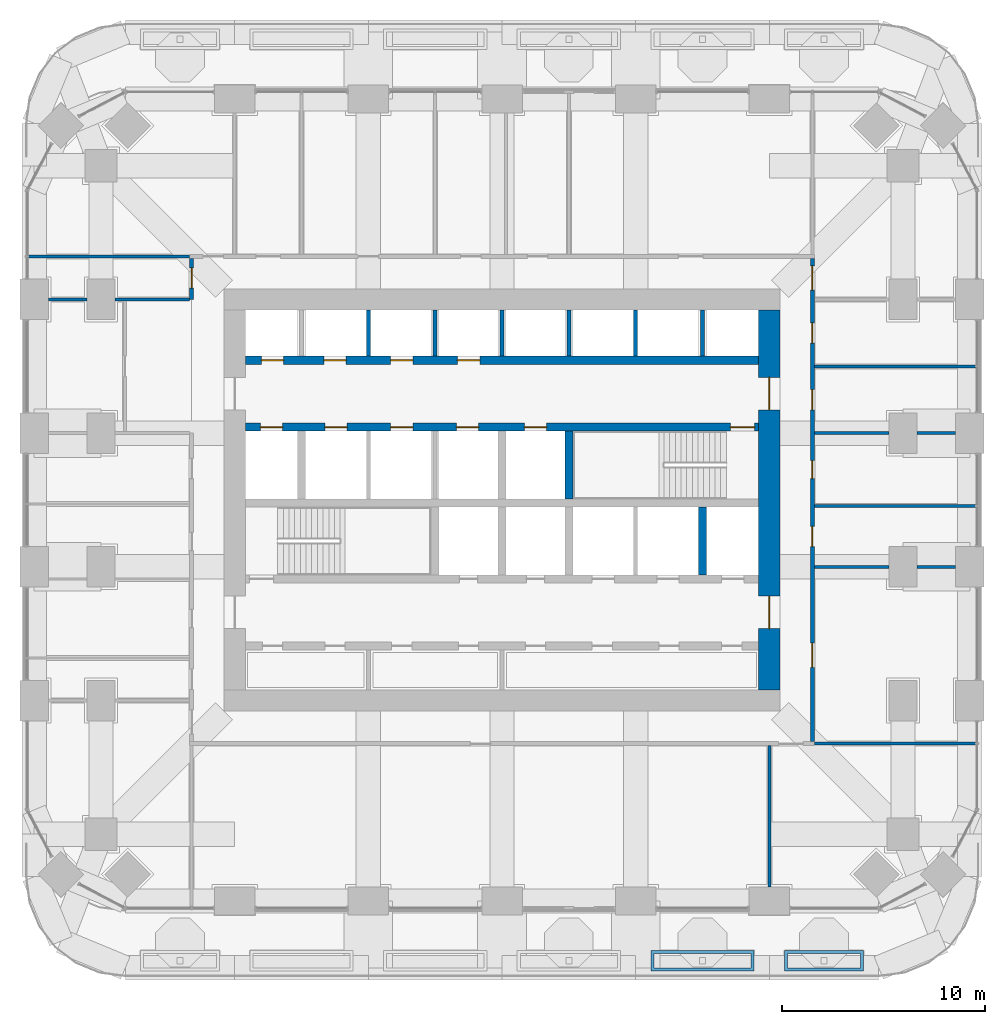
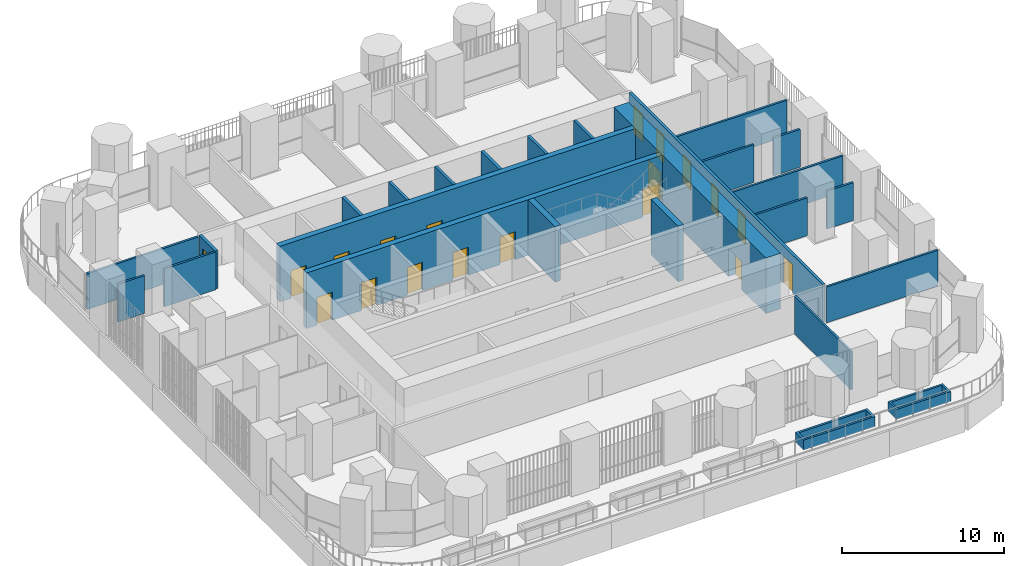
# One storey, part 15 of 22: 26 walls, 19 doors, 19 openings.
"""IFC4 building model written with IfcOpenShell, lengths in metres."""

from ifc_helpers import new_model, si_unit, direction, frame, frame_2d, origin, place, context, subcontext, project, spatial, polyline, rectangle, outline, extrude, material, layer, layer_set, type_object, element, fill, save


model = new_model("IFC4")

# Units and contexts
model_context = context("Model", 3, precision=1e-05, world=origin(), true_north=direction((0.0, 1.0)))
body_context = subcontext(model_context, "Body", "Model", "MODEL_VIEW")
ifc_project = project(units=[si_unit("LENGTHUNIT", "METRE"), si_unit("AREAUNIT", "SQUARE_METRE"), si_unit("VOLUMEUNIT", "CUBIC_METRE"), si_unit("PLANEANGLEUNIT", "RADIAN"), si_unit("MASSUNIT", "GRAM", prefix="KILO")], contexts=[model_context])

# Site, building, storey
site_placement = place(None, origin())
site = spatial("IfcSite", under=ifc_project, at=site_placement, CompositionType="ELEMENT")
building_placement = place(site_placement, origin())
building = spatial("IfcBuilding", under=site, at=building_placement, Name="Cobogo Forest Laboratory Tower", CompositionType="ELEMENT")
storey_placement = place(building_placement, frame((0.0, 0.0, 155.699951171875)))
storey = spatial("IfcBuildingStorey", under=building, at=storey_placement, Name="L35", CompositionType="ELEMENT", Elevation=155.699951171875)

# Wall, openings, doors
ifc_material_1 = material(Name="Concrete HA-50 (C50/60)", Category="concrete")
ifc_layer_1 = layer(ifc_material_1, 0.39990234375)
ifc_layer_set_1 = layer_set([ifc_layer_1], Name="CI400 core inner wall 400")
wall_type_1 = type_object("IfcWallType", Name="CI400 core inner wall 400", PredefinedType="SHEAR", material=ifc_layer_set_1)
wall_1_placement = place(storey_placement, frame((13.72509765625, 26.699951171875, 0.0), z_axis=(0.0, 0.0, 1.0), x_axis=(1.0, 0.0, 0.0)))
wall_1 = element("IfcWall", 1, at=wall_1_placement, inside=storey, type_object=wall_type_1, Name="Core wall CI-26.7 L35", PredefinedType="SHEAR", context=body_context, shape_type="SweptSolid", body=[
    extrude(rectangle(XDim=25.349853515625, YDim=0.39990234375, at=frame_2d((12.6748046875, 0.0))), origin(), (0.0, 0.0, 1.0), 4.199951171875),
])
opening_1_placement = place(wall_1_placement, frame((23.949951171875, 0.0, 0.0)))
opening_1 = element("IfcOpeningElement", 2, at=opening_1_placement, cuts=wall_1, Name="Opening L35-D25", PredefinedType="OPENING", context=body_context, shape_type="SweptSolid", body=[
    extrude(rectangle(XDim=1.199951171875, YDim=2.10009765625, at=frame_2d((0.60009765625, 1.050048828125))), frame((0.0, 0.2099609375, 0.0), z_axis=(0.0, -1.0, 0.0), x_axis=(1.0, 0.0, 0.0)), (0.0, 0.0, 1.0), 0.419921875),
])
opening_2_placement = place(wall_1_placement, frame((0.737548828125, 0.0, 0.0)))
opening_2 = element("IfcOpeningElement", 3, at=opening_2_placement, cuts=wall_1, Name="Opening L35-LD-FL1", PredefinedType="OPENING", context=body_context, shape_type="SweptSolid", body=[
    extrude(rectangle(XDim=1.10009765625, YDim=2.10009765625, at=frame_2d((0.550048828125, 1.050048828125))), frame((0.0, 0.2099609375, 0.0), z_axis=(0.0, -1.0, 0.0), x_axis=(1.0, 0.0, 0.0)), (0.0, 0.0, 1.0), 0.419921875),
])
opening_3_placement = place(wall_1_placement, frame((3.925048828125, 0.0, 0.0)))
opening_3 = element("IfcOpeningElement", 4, at=opening_3_placement, cuts=wall_1, Name="Opening L35-LD-LS3", PredefinedType="OPENING", context=body_context, shape_type="SweptSolid", body=[
    extrude(rectangle(XDim=1.10009765625, YDim=2.10009765625, at=frame_2d((0.550048828125, 1.050048828125))), frame((0.0, 0.2099609375, 0.0), z_axis=(0.0, -1.0, 0.0), x_axis=(1.0, 0.0, 0.0)), (0.0, 0.0, 1.0), 0.419921875),
])
opening_4_placement = place(wall_1_placement, frame((7.175048828125, 0.0, 0.0)))
opening_4 = element("IfcOpeningElement", 5, at=opening_4_placement, cuts=wall_1, Name="Opening L35-LD-LS4", PredefinedType="OPENING", context=body_context, shape_type="SweptSolid", body=[
    extrude(rectangle(XDim=1.10009765625, YDim=2.10009765625, at=frame_2d((0.550048828125, 1.050048828125))), frame((0.0, 0.2099609375, 0.0), z_axis=(0.0, -1.0, 0.0), x_axis=(1.0, 0.0, 0.0)), (0.0, 0.0, 1.0), 0.419921875),
])
opening_5_placement = place(wall_1_placement, frame((10.425048828125, 0.0, 0.0)))
opening_5 = element("IfcOpeningElement", 6, at=opening_5_placement, cuts=wall_1, Name="Opening L35-LD-LS5", PredefinedType="OPENING", context=body_context, shape_type="SweptSolid", body=[
    extrude(rectangle(XDim=1.10009765625, YDim=2.10009765625, at=frame_2d((0.550048828125, 1.050048828125))), frame((0.0, 0.2099609375, 0.0), z_axis=(0.0, -1.0, 0.0), x_axis=(1.0, 0.0, 0.0)), (0.0, 0.0, 1.0), 0.419921875),
])
opening_6_placement = place(wall_1_placement, frame((13.77490234375, 0.0, 0.0)))
opening_6 = element("IfcOpeningElement", 7, at=opening_6_placement, cuts=wall_1, Name="Opening L35-LD-LS6", PredefinedType="OPENING", context=body_context, shape_type="SweptSolid", body=[
    extrude(rectangle(XDim=1.10009765625, YDim=2.10009765625, at=frame_2d((0.550048828125, 1.050048828125))), frame((0.0, 0.2099609375, 0.0), z_axis=(0.0, -1.0, 0.0), x_axis=(1.0, 0.0, 0.0)), (0.0, 0.0, 1.0), 0.419921875),
])
ifc_material_2 = material(Name="Steel fire door", Category="steel")
door_type_1 = type_object("IfcDoorType", Name="DS1 protected stair door 1200 EI2 60", OperationType="SINGLE_SWING_LEFT", PredefinedType="DOOR", material=ifc_material_2)
door_1_placement = place(opening_1_placement, origin())
door_1 = element("IfcDoor", 8, at=door_1_placement, inside=storey, type_object=door_type_1, Name="Door L35-ST2", OperationType="SINGLE_SWING_RIGHT", OverallHeight=2.10009765625, OverallWidth=1.199951171875, PredefinedType="DOOR", context=body_context, shape_type="SweptSolid", body=[
    extrude(rectangle(XDim=1.199951171875, YDim=2.10009765625, at=frame_2d((0.60009765625, 1.050048828125))), frame((0.0, 0.02490234375, 0.0), z_axis=(0.0, -1.0, 0.0), x_axis=(1.0, 0.0, 0.0)), (0.0, 0.0, 1.0), 0.050048828125),
])
fill(opening_1, door_1)
ifc_material_3 = material(Name="Stainless steel lift door", Category="steel")
door_type_2 = type_object("IfcDoorType", Name="LD lift landing door 1100", OperationType="DOUBLE_DOOR_SLIDING", PredefinedType="DOOR", material=ifc_material_3)
door_2_placement = place(opening_2_placement, origin())
door_2 = element("IfcDoor", 9, at=door_2_placement, inside=storey, type_object=door_type_2, Name="Lift landing door FL1 L35", OperationType="DOUBLE_DOOR_SLIDING", OverallHeight=2.10009765625, OverallWidth=1.10009765625, PredefinedType="DOOR", context=body_context, shape_type="SweptSolid", body=[
    extrude(rectangle(XDim=1.10009765625, YDim=2.10009765625, at=frame_2d((0.550048828125, 1.050048828125))), frame((0.0, 0.02490234375, 0.0), z_axis=(0.0, -1.0, 0.0), x_axis=(1.0, 0.0, 0.0)), (0.0, 0.0, 1.0), 0.050048828125),
])
fill(opening_2, door_2)
door_3_placement = place(opening_3_placement, origin())
door_3 = element("IfcDoor", 10, at=door_3_placement, inside=storey, type_object=door_type_2, Name="Lift landing door LS3 L35", OperationType="DOUBLE_DOOR_SLIDING", OverallHeight=2.10009765625, OverallWidth=1.10009765625, PredefinedType="DOOR", context=body_context, shape_type="SweptSolid", body=[
    extrude(rectangle(XDim=1.10009765625, YDim=2.10009765625, at=frame_2d((0.550048828125, 1.050048828125))), frame((0.0, 0.02490234375, 0.0), z_axis=(0.0, -1.0, 0.0), x_axis=(1.0, 0.0, 0.0)), (0.0, 0.0, 1.0), 0.050048828125),
])
fill(opening_3, door_3)
door_4_placement = place(opening_4_placement, origin())
door_4 = element("IfcDoor", 11, at=door_4_placement, inside=storey, type_object=door_type_2, Name="Lift landing door LS4 L35", OperationType="DOUBLE_DOOR_SLIDING", OverallHeight=2.10009765625, OverallWidth=1.10009765625, PredefinedType="DOOR", context=body_context, shape_type="SweptSolid", body=[
    extrude(rectangle(XDim=1.10009765625, YDim=2.10009765625, at=frame_2d((0.550048828125, 1.050048828125))), frame((0.0, 0.02490234375, 0.0), z_axis=(0.0, -1.0, 0.0), x_axis=(1.0, 0.0, 0.0)), (0.0, 0.0, 1.0), 0.050048828125),
])
fill(opening_4, door_4)
door_5_placement = place(opening_5_placement, origin())
door_5 = element("IfcDoor", 12, at=door_5_placement, inside=storey, type_object=door_type_2, Name="Lift landing door LS5 L35", OperationType="DOUBLE_DOOR_SLIDING", OverallHeight=2.10009765625, OverallWidth=1.10009765625, PredefinedType="DOOR", context=body_context, shape_type="SweptSolid", body=[
    extrude(rectangle(XDim=1.10009765625, YDim=2.10009765625, at=frame_2d((0.550048828125, 1.050048828125))), frame((0.0, 0.02490234375, 0.0), z_axis=(0.0, -1.0, 0.0), x_axis=(1.0, 0.0, 0.0)), (0.0, 0.0, 1.0), 0.050048828125),
])
fill(opening_5, door_5)
door_6_placement = place(opening_6_placement, origin())
door_6 = element("IfcDoor", 13, at=door_6_placement, inside=storey, type_object=door_type_2, Name="Lift landing door LS6 L35", OperationType="DOUBLE_DOOR_SLIDING", OverallHeight=2.10009765625, OverallWidth=1.10009765625, PredefinedType="DOOR", context=body_context, shape_type="SweptSolid", body=[
    extrude(rectangle(XDim=1.10009765625, YDim=2.10009765625, at=frame_2d((0.550048828125, 1.050048828125))), frame((0.0, 0.02490234375, 0.0), z_axis=(0.0, -1.0, 0.0), x_axis=(1.0, 0.0, 0.0)), (0.0, 0.0, 1.0), 0.050048828125),
])
fill(opening_6, door_6)

wall_2_placement = place(storey_placement, frame((13.72509765625, 30.0, 0.0), z_axis=(0.0, 0.0, 1.0), x_axis=(1.0, 0.0, 0.0)))
wall_2 = element("IfcWall", 14, at=wall_2_placement, inside=storey, type_object=wall_type_1, Name="Core wall CI-30.0 L35", PredefinedType="SHEAR", context=body_context, shape_type="SweptSolid", body=[
    extrude(rectangle(XDim=25.349853515625, YDim=0.39990234375, at=frame_2d((12.6748046875, 0.0))), origin(), (0.0, 0.0, 1.0), 4.199951171875),
])
opening_7_placement = place(wall_2_placement, frame((0.78759765625, 0.0, 0.0)))
opening_7 = element("IfcOpeningElement", 15, at=opening_7_placement, cuts=wall_2, Name="Opening L35-LD-LC1", PredefinedType="OPENING", context=body_context, shape_type="SweptSolid", body=[
    extrude(rectangle(XDim=1.10009765625, YDim=2.10009765625, at=frame_2d((0.550048828125, 1.050048828125))), frame((0.0, 0.2099609375, 0.0), z_axis=(0.0, -1.0, 0.0), x_axis=(1.0, 0.0, 0.0)), (0.0, 0.0, 1.0), 0.419921875),
])
opening_8_placement = place(wall_2_placement, frame((3.875, 0.0, 0.0)))
opening_8 = element("IfcOpeningElement", 16, at=opening_8_placement, cuts=wall_2, Name="Opening L35-LD-LC2", PredefinedType="OPENING", context=body_context, shape_type="SweptSolid", body=[
    extrude(rectangle(XDim=1.10009765625, YDim=2.10009765625, at=frame_2d((0.550048828125, 1.050048828125))), frame((0.0, 0.2099609375, 0.0), z_axis=(0.0, -1.0, 0.0), x_axis=(1.0, 0.0, 0.0)), (0.0, 0.0, 1.0), 0.419921875),
])
opening_9_placement = place(wall_2_placement, frame((7.175048828125, 0.0, 0.0)))
opening_9 = element("IfcOpeningElement", 17, at=opening_9_placement, cuts=wall_2, Name="Opening L35-LD-LC3", PredefinedType="OPENING", context=body_context, shape_type="SweptSolid", body=[
    extrude(rectangle(XDim=1.10009765625, YDim=2.10009765625, at=frame_2d((0.550048828125, 1.050048828125))), frame((0.0, 0.2099609375, 0.0), z_axis=(0.0, -1.0, 0.0), x_axis=(1.0, 0.0, 0.0)), (0.0, 0.0, 1.0), 0.419921875),
])
opening_10_placement = place(wall_2_placement, frame((10.47509765625, 0.0, 0.0)))
opening_10 = element("IfcOpeningElement", 18, at=opening_10_placement, cuts=wall_2, Name="Opening L35-LD-LC4", PredefinedType="OPENING", context=body_context, shape_type="SweptSolid", body=[
    extrude(rectangle(XDim=1.10009765625, YDim=2.10009765625, at=frame_2d((0.550048828125, 1.050048828125))), frame((0.0, 0.2099609375, 0.0), z_axis=(0.0, -1.0, 0.0), x_axis=(1.0, 0.0, 0.0)), (0.0, 0.0, 1.0), 0.419921875),
])
door_7_placement = place(opening_7_placement, origin())
door_7 = element("IfcDoor", 19, at=door_7_placement, inside=storey, type_object=door_type_2, Name="Lift landing door LC1 L35", OperationType="DOUBLE_DOOR_SLIDING", OverallHeight=2.10009765625, OverallWidth=1.10009765625, PredefinedType="DOOR", context=body_context, shape_type="SweptSolid", body=[
    extrude(rectangle(XDim=1.10009765625, YDim=2.10009765625, at=frame_2d((0.550048828125, 1.050048828125))), frame((0.0, 0.02490234375, 0.0), z_axis=(0.0, -1.0, 0.0), x_axis=(1.0, 0.0, 0.0)), (0.0, 0.0, 1.0), 0.050048828125),
])
fill(opening_7, door_7)
door_8_placement = place(opening_8_placement, origin())
door_8 = element("IfcDoor", 20, at=door_8_placement, inside=storey, type_object=door_type_2, Name="Lift landing door LC2 L35", OperationType="DOUBLE_DOOR_SLIDING", OverallHeight=2.10009765625, OverallWidth=1.10009765625, PredefinedType="DOOR", context=body_context, shape_type="SweptSolid", body=[
    extrude(rectangle(XDim=1.10009765625, YDim=2.10009765625, at=frame_2d((0.550048828125, 1.050048828125))), frame((0.0, 0.02490234375, 0.0), z_axis=(0.0, -1.0, 0.0), x_axis=(1.0, 0.0, 0.0)), (0.0, 0.0, 1.0), 0.050048828125),
])
fill(opening_8, door_8)
door_9_placement = place(opening_9_placement, origin())
door_9 = element("IfcDoor", 21, at=door_9_placement, inside=storey, type_object=door_type_2, Name="Lift landing door LC3 L35", OperationType="DOUBLE_DOOR_SLIDING", OverallHeight=2.10009765625, OverallWidth=1.10009765625, PredefinedType="DOOR", context=body_context, shape_type="SweptSolid", body=[
    extrude(rectangle(XDim=1.10009765625, YDim=2.10009765625, at=frame_2d((0.550048828125, 1.050048828125))), frame((0.0, 0.02490234375, 0.0), z_axis=(0.0, -1.0, 0.0), x_axis=(1.0, 0.0, 0.0)), (0.0, 0.0, 1.0), 0.050048828125),
])
fill(opening_9, door_9)
door_10_placement = place(opening_10_placement, origin())
door_10 = element("IfcDoor", 22, at=door_10_placement, inside=storey, type_object=door_type_2, Name="Lift landing door LC4 L35", OperationType="DOUBLE_DOOR_SLIDING", OverallHeight=2.10009765625, OverallWidth=1.10009765625, PredefinedType="DOOR", context=body_context, shape_type="SweptSolid", body=[
    extrude(rectangle(XDim=1.10009765625, YDim=2.10009765625, at=frame_2d((0.550048828125, 1.050048828125))), frame((0.0, 0.02490234375, 0.0), z_axis=(0.0, -1.0, 0.0), x_axis=(1.0, 0.0, 0.0)), (0.0, 0.0, 1.0), 0.050048828125),
])
fill(opening_10, door_10)

# Walls
for number, where, z_axis, x_axis, name in (
    (23, (36.300048828125, 19.39990234375, 0.0), (0.0, 0.0, 1.0), (0.0, 1.0, 0.0), "Core wall CX-36.3 L35"),
    (24, (29.699951171875, 23.14990234375, 0.0), (0.0, 0.0, 1.0), (0.0, 1.0, 0.0), "Core wall CX-29.7N L35"),
):
    element("IfcWall", number, at=place(storey_placement, frame(where, z_axis=z_axis, x_axis=x_axis)), inside=storey, type_object=wall_type_1, Name=name, PredefinedType="SHEAR", context=body_context, shape_type="SweptSolid", body=[
        extrude(rectangle(XDim=3.35009765625, YDim=0.39990234375, at=frame_2d((1.675048828125, 0.0))), origin(), (0.0, 0.0, 1.0), 4.199951171875),
    ])

# Wall, openings, doors
ifc_layer_2 = layer(ifc_material_1, 1.050048828125)
ifc_layer_set_2 = layer_set([ifc_layer_2], Name="CW1050 core outer wall 1050")
wall_type_2 = type_object("IfcWallType", Name="CW1050 core outer wall 1050", PredefinedType="SHEAR", material=ifc_layer_set_2)
wall_3_placement = place(storey_placement, frame((39.60009765625, 13.72509765625, 0.0), z_axis=(0.0, 0.0, 1.0), x_axis=(0.0, 1.0, 0.0)))
wall_3 = element("IfcWall", 25, at=wall_3_placement, inside=storey, type_object=wall_type_2, Name="Core wall CO-E L35", PredefinedType="SHEAR", context=body_context, shape_type="SweptSolid", body=[
    extrude(rectangle(XDim=18.75, YDim=1.050048828125, at=frame_2d((9.375, 0.0))), origin(), (0.0, 0.0, 1.0), 4.199951171875),
])
opening_11_placement = place(wall_3_placement, frame((3.02490234375, 0.0, 0.0)))
opening_11 = element("IfcOpeningElement", 26, at=opening_11_placement, cuts=wall_3, Name="Opening L35-D17", PredefinedType="OPENING", context=body_context, shape_type="SweptSolid", body=[
    extrude(rectangle(XDim=1.60009765625, YDim=2.10009765625, at=frame_2d((0.800048828125, 1.050048828125))), frame((0.0, 0.534912109375, 0.0), z_axis=(0.0, -1.0, 0.0), x_axis=(1.0, 0.0, 0.0)), (0.0, 0.0, 1.0), 1.070068359375),
])
opening_12_placement = place(wall_3_placement, frame((13.824951171875, 0.0, 0.0)))
opening_12 = element("IfcOpeningElement", 27, at=opening_12_placement, cuts=wall_3, Name="Opening L35-D28", PredefinedType="OPENING", context=body_context, shape_type="SweptSolid", body=[
    extrude(rectangle(XDim=1.60009765625, YDim=2.10009765625, at=frame_2d((0.800048828125, 1.050048828125))), frame((0.0, 0.534912109375, 0.0), z_axis=(0.0, -1.0, 0.0), x_axis=(1.0, 0.0, 0.0)), (0.0, 0.0, 1.0), 1.070068359375),
])
door_type_3 = type_object("IfcDoorType", Name="DS2 protected lobby door pair 1600 EI2 60", OperationType="DOUBLE_DOOR_DOUBLE_SWING", PredefinedType="DOOR", material=ifc_material_2)
door_11_placement = place(opening_11_placement, origin())
door_11 = element("IfcDoor", 28, at=door_11_placement, inside=storey, type_object=door_type_3, Name="Door L35-CO-E-S", OperationType="DOUBLE_DOOR_DOUBLE_SWING", OverallHeight=2.10009765625, OverallWidth=1.60009765625, PredefinedType="DOOR", context=body_context, shape_type="SweptSolid", body=[
    extrude(rectangle(XDim=1.60009765625, YDim=2.10009765625, at=frame_2d((0.800048828125, 1.050048828125))), frame((0.0, 0.02490234375, 0.0), z_axis=(0.0, -1.0, 0.0), x_axis=(1.0, 0.0, 0.0)), (0.0, 0.0, 1.0), 0.050048828125),
])
fill(opening_11, door_11)
door_12_placement = place(opening_12_placement, origin())
door_12 = element("IfcDoor", 29, at=door_12_placement, inside=storey, type_object=door_type_3, Name="Door L35-CO-E-N", OperationType="DOUBLE_DOOR_DOUBLE_SWING", OverallHeight=2.10009765625, OverallWidth=1.60009765625, PredefinedType="DOOR", context=body_context, shape_type="SweptSolid", body=[
    extrude(rectangle(XDim=1.60009765625, YDim=2.10009765625, at=frame_2d((0.800048828125, 1.050048828125))), frame((0.0, 0.02490234375, 0.0), z_axis=(0.0, -1.0, 0.0), x_axis=(1.0, 0.0, 0.0)), (0.0, 0.0, 1.0), 0.050048828125),
])
fill(opening_12, door_12)

# Walls
ifc_material_4 = material(Name="Gypsum board on steel studs", Category="steel")
ifc_layer_3 = layer(ifc_material_4, 0.14990234375)
ifc_layer_set_3 = layer_set([ifc_layer_3], Name="PT1 laboratory partition 150")
wall_type_3 = type_object("IfcWallType", Name="PT1 laboratory partition 150", PredefinedType="PARTITIONING", material=ifc_layer_set_3)
for number, where, z_axis, x_axis, name in (
    (30, (49.77001953125, 11.074951171875, 0.0), (0.0, 0.0, 1.0), (-1.0, 0.0, 0.0), "Partition PW-SE L35"),
    (31, (3.030029296875, 35.125, 0.0), (0.0, 0.0, 1.0), (1.0, 0.0, 0.0), "Partition PW-NW L35"),
):
    element("IfcWall", number, at=place(storey_placement, frame(where, z_axis=z_axis, x_axis=x_axis)), inside=storey, type_object=wall_type_3, Name=name, PredefinedType="PARTITIONING", context=body_context, shape_type="SweptSolid", body=[
        extrude(rectangle(XDim=7.945068359375, YDim=0.14990234375, at=frame_2d((3.97265625, 0.0))), origin(), (0.0, 0.0, 1.0), 2.699951171875),
    ])
wall_4_placement = place(storey_placement, frame((39.60009765625, 4.0, 0.0), z_axis=(0.0, 0.0, 1.0), x_axis=(0.0, 1.0, 0.0)))
element("IfcWall", 32, at=wall_4_placement, inside=storey, type_object=wall_type_3, Name="Partition CUT-S39.6-1 L35", PredefinedType="PARTITIONING", context=body_context, shape_type="SweptSolid", body=[
    extrude(rectangle(XDim=6.97509765625, YDim=0.14990234375, at=frame_2d((3.487548828125, 0.0))), origin(), (0.0, 0.0, 1.0), 2.85009765625),
])
wall_5_placement = place(storey_placement, frame((49.77001953125, 22.800048828125, 0.0), z_axis=(0.0, 0.0, 1.0), x_axis=(-1.0, 0.0, 0.0)))
element("IfcWall", 33, at=wall_5_placement, inside=storey, type_object=wall_type_3, Name="Partition SVC-E1-1 L35", PredefinedType="PARTITIONING", context=body_context, shape_type="SweptSolid", body=[
    extrude(rectangle(XDim=7.945068359375, YDim=0.14990234375, at=frame_2d((3.97265625, 0.0))), origin(), (0.0, 0.0, 1.0), 2.699951171875),
])
wall_6_placement = place(storey_placement, frame((48.800048828125, 26.39990234375, 0.0), z_axis=(0.0, 0.0, 1.0), x_axis=(-1.0, 0.0, 0.0)))
element("IfcWall", 34, at=wall_6_placement, inside=storey, type_object=wall_type_3, Name="Partition SVC-E2-1 L35", PredefinedType="PARTITIONING", context=body_context, shape_type="SweptSolid", body=[
    extrude(rectangle(XDim=1.900146484375, YDim=0.14990234375, at=frame_2d((0.9501953125, 0.0))), origin(), (0.0, 0.0, 1.0), 2.85009765625),
])
wall_7_placement = place(storey_placement, frame((45.5, 26.39990234375, 0.0), z_axis=(0.0, 0.0, 1.0), x_axis=(-1.0, 0.0, 0.0)))
element("IfcWall", 35, at=wall_7_placement, inside=storey, type_object=wall_type_3, Name="Partition SVC-E2-2 L35", PredefinedType="PARTITIONING", context=body_context, shape_type="SweptSolid", body=[
    extrude(rectangle(XDim=3.675048828125, YDim=0.14990234375, at=frame_2d((1.83740234375, 0.0))), origin(), (0.0, 0.0, 1.0), 2.85009765625),
])
wall_8_placement = place(storey_placement, frame((48.800048828125, 19.800048828125, 0.0), z_axis=(0.0, 0.0, 1.0), x_axis=(-1.0, 0.0, 0.0)))
element("IfcWall", 36, at=wall_8_placement, inside=storey, type_object=wall_type_3, Name="Partition CUT-E19.8-1 L35", PredefinedType="PARTITIONING", context=body_context, shape_type="SweptSolid", body=[
    extrude(rectangle(XDim=1.900146484375, YDim=0.14990234375, at=frame_2d((0.9501953125, 0.0))), origin(), (0.0, 0.0, 1.0), 2.85009765625),
])
wall_9_placement = place(storey_placement, frame((45.5, 19.800048828125, 0.0), z_axis=(0.0, 0.0, 1.0), x_axis=(-1.0, 0.0, 0.0)))
element("IfcWall", 37, at=wall_9_placement, inside=storey, type_object=wall_type_3, Name="Partition CUT-E19.8-2 L35", PredefinedType="PARTITIONING", context=body_context, shape_type="SweptSolid", body=[
    extrude(rectangle(XDim=3.675048828125, YDim=0.14990234375, at=frame_2d((1.83740234375, 0.0))), origin(), (0.0, 0.0, 1.0), 2.85009765625),
])
wall_10_placement = place(storey_placement, frame((49.77001953125, 29.699951171875, 0.0), z_axis=(0.0, 0.0, 1.0), x_axis=(-1.0, 0.0, 0.0)))
element("IfcWall", 38, at=wall_10_placement, inside=storey, type_object=wall_type_3, Name="Partition CUT-E29.7-1 L35", PredefinedType="PARTITIONING", context=body_context, shape_type="SweptSolid", body=[
    extrude(rectangle(XDim=7.945068359375, YDim=0.14990234375, at=frame_2d((3.97265625, 0.0))), origin(), (0.0, 0.0, 1.0), 2.699951171875),
])
wall_11_placement = place(storey_placement, frame((4.0, 33.0, 0.0), z_axis=(0.0, 0.0, 1.0), x_axis=(1.0, 0.0, 0.0)))
element("IfcWall", 39, at=wall_11_placement, inside=storey, type_object=wall_type_3, Name="Partition CUT-W33-1 L35", PredefinedType="PARTITIONING", context=body_context, shape_type="SweptSolid", body=[
    extrude(rectangle(XDim=1.89990234375, YDim=0.14990234375, at=frame_2d((0.949951171875, 0.0))), origin(), (0.0, 0.0, 1.0), 2.85009765625),
])
wall_12_placement = place(storey_placement, frame((7.300048828125, 33.0, 0.0), z_axis=(0.0, 0.0, 1.0), x_axis=(1.0, 0.0, 0.0)))
element("IfcWall", 40, at=wall_12_placement, inside=storey, type_object=wall_type_3, Name="Partition CUT-W33-2 L35", PredefinedType="PARTITIONING", context=body_context, shape_type="SweptSolid", body=[
    extrude(rectangle(XDim=3.675048828125, YDim=0.14990234375, at=frame_2d((1.83740234375, 0.0))), origin(), (0.0, 0.0, 1.0), 2.85009765625),
])

# Wall, opening, door
ifc_layer_4 = layer(ifc_material_4, 0.199951171875)
ifc_layer_set_4 = layer_set([ifc_layer_4], Name="PT2 fire-rated corridor partition 200")
wall_type_4 = type_object("IfcWallType", Name="PT2 fire-rated corridor partition 200", PredefinedType="PARTITIONING", material=ifc_layer_set_4)
wall_13_placement = place(storey_placement, frame((11.074951171875, 33.0, 0.0), z_axis=(0.0, 0.0, 1.0), x_axis=(0.0, 1.0, 0.0)))
wall_13 = element("IfcWall", 41, at=wall_13_placement, inside=storey, type_object=wall_type_4, Name="Partition CORR-W-2 L35", PredefinedType="PARTITIONING", context=body_context, shape_type="SweptSolid", body=[
    extrude(rectangle(XDim=2.02490234375, YDim=0.199951171875, at=frame_2d((1.012451171875, 0.0))), origin(), (0.0, 0.0, 1.0), 2.85009765625),
])
opening_13_placement = place(wall_13_placement, frame((0.5625, 0.0, 0.0)))
opening_13 = element("IfcOpeningElement", 42, at=opening_13_placement, cuts=wall_13, Name="Opening L35-D31", PredefinedType="OPENING", context=body_context, shape_type="SweptSolid", body=[
    extrude(rectangle(XDim=1.0, YDim=2.10009765625, at=frame_2d((0.5, 1.050048828125))), frame((0.0, 0.10986328125, 0.0), z_axis=(0.0, -1.0, 0.0), x_axis=(1.0, 0.0, 0.0)), (0.0, 0.0, 1.0), 0.219970703125),
])
ifc_material_5 = material(Name="Timber fire door", Category="wood")
door_type_4 = type_object("IfcDoorType", Name="FD2 fire door 1000 EI2 30", OperationType="SINGLE_SWING_LEFT", PredefinedType="DOOR", material=ifc_material_5)
door_13_placement = place(opening_13_placement, origin())
door_13 = element("IfcDoor", 43, at=door_13_placement, inside=storey, type_object=door_type_4, Name="Door L35-W4", OperationType="SINGLE_SWING_RIGHT", OverallHeight=2.10009765625, OverallWidth=1.0, PredefinedType="DOOR", context=body_context, shape_type="SweptSolid", body=[
    extrude(rectangle(XDim=1.0, YDim=2.10009765625, at=frame_2d((0.5, 1.050048828125))), frame((0.0, 0.02490234375, 0.0), z_axis=(0.0, -1.0, 0.0), x_axis=(1.0, 0.0, 0.0)), (0.0, 0.0, 1.0), 0.050048828125),
])
fill(opening_13, door_13)

# Wall, openings, doors
wall_14_placement = place(storey_placement, frame((41.72509765625, 11.175048828125, 0.0), z_axis=(0.0, 0.0, 1.0), x_axis=(0.0, 1.0, 0.0)))
wall_14 = element("IfcWall", 44, at=wall_14_placement, inside=storey, type_object=wall_type_4, Name="Partition CORR-E L35", PredefinedType="PARTITIONING", context=body_context, shape_type="SweptSolid", body=[
    extrude(rectangle(XDim=23.849853515625, YDim=0.199951171875, at=frame_2d((11.9248046875, 0.0))), origin(), (0.0, 0.0, 1.0), 2.85009765625),
])
opening_14_placement = place(wall_14_placement, frame((3.66259765625, 0.0, 0.0)))
opening_14 = element("IfcOpeningElement", 45, at=opening_14_placement, cuts=wall_14, Name="Opening L35-D06", PredefinedType="OPENING", context=body_context, shape_type="SweptSolid", body=[
    extrude(rectangle(XDim=1.199951171875, YDim=2.10009765625, at=frame_2d((0.60009765625, 1.050048828125))), frame((0.0, 0.10986328125, 0.0), z_axis=(0.0, -1.0, 0.0), x_axis=(1.0, 0.0, 0.0)), (0.0, 0.0, 1.0), 0.219970703125),
])
opening_15_placement = place(wall_14_placement, frame((9.625, 0.0, 0.0)))
opening_15 = element("IfcOpeningElement", 46, at=opening_15_placement, cuts=wall_14, Name="Opening L35-D22", PredefinedType="OPENING", context=body_context, shape_type="SweptSolid", body=[
    extrude(rectangle(XDim=1.0, YDim=2.10009765625, at=frame_2d((0.5, 1.050048828125))), frame((0.0, 0.10986328125, 0.0), z_axis=(0.0, -1.0, 0.0), x_axis=(1.0, 0.0, 0.0)), (0.0, 0.0, 1.0), 0.219970703125),
])
opening_16_placement = place(wall_14_placement, frame((12.97509765625, 0.0, 0.0)))
opening_16 = element("IfcOpeningElement", 47, at=opening_16_placement, cuts=wall_14, Name="Opening L35-D23", PredefinedType="OPENING", context=body_context, shape_type="SweptSolid", body=[
    extrude(rectangle(XDim=0.89990234375, YDim=2.10009765625, at=frame_2d((0.449951171875, 1.050048828125))), frame((0.0, 0.10986328125, 0.0), z_axis=(0.0, -1.0, 0.0), x_axis=(1.0, 0.0, 0.0)), (0.0, 0.0, 1.0), 0.219970703125),
])
opening_17_placement = place(wall_14_placement, frame((16.375, 0.0, 0.0)))
opening_17 = element("IfcOpeningElement", 48, at=opening_17_placement, cuts=wall_14, Name="Opening L35-D26", PredefinedType="OPENING", context=body_context, shape_type="SweptSolid", body=[
    extrude(rectangle(XDim=1.0, YDim=2.10009765625, at=frame_2d((0.5, 1.050048828125))), frame((0.0, 0.10986328125, 0.0), z_axis=(0.0, -1.0, 0.0), x_axis=(1.0, 0.0, 0.0)), (0.0, 0.0, 1.0), 0.219970703125),
])
opening_18_placement = place(wall_14_placement, frame((19.675048828125, 0.0, 0.0)))
opening_18 = element("IfcOpeningElement", 49, at=opening_18_placement, cuts=wall_14, Name="Opening L35-D30", PredefinedType="OPENING", context=body_context, shape_type="SweptSolid", body=[
    extrude(rectangle(XDim=1.0, YDim=2.10009765625, at=frame_2d((0.5, 1.050048828125))), frame((0.0, 0.10986328125, 0.0), z_axis=(0.0, -1.0, 0.0), x_axis=(1.0, 0.0, 0.0)), (0.0, 0.0, 1.0), 0.219970703125),
])
opening_19_placement = place(wall_14_placement, frame((22.28759765625, 0.0, 0.0)))
opening_19 = element("IfcOpeningElement", 50, at=opening_19_placement, cuts=wall_14, Name="Opening L35-D32", PredefinedType="OPENING", context=body_context, shape_type="SweptSolid", body=[
    extrude(rectangle(XDim=1.199951171875, YDim=2.10009765625, at=frame_2d((0.60009765625, 1.050048828125))), frame((0.0, 0.10986328125, 0.0), z_axis=(0.0, -1.0, 0.0), x_axis=(1.0, 0.0, 0.0)), (0.0, 0.0, 1.0), 0.219970703125),
])
ifc_material_6 = material(Name="Timber door", Category="wood")
door_type_5 = type_object("IfcDoorType", Name="D2 laboratory door 1200 unequal pair", OperationType="DOUBLE_DOOR_SINGLE_SWING", PredefinedType="DOOR", material=ifc_material_6)
door_14_placement = place(opening_14_placement, origin())
door_14 = element("IfcDoor", 51, at=door_14_placement, inside=storey, type_object=door_type_5, Name="Door L35-E1", OperationType="DOUBLE_DOOR_SINGLE_SWING", OverallHeight=2.10009765625, OverallWidth=1.199951171875, PredefinedType="DOOR", context=body_context, shape_type="SweptSolid", body=[
    extrude(rectangle(XDim=1.199951171875, YDim=2.10009765625, at=frame_2d((0.60009765625, 1.050048828125))), frame((0.0, 0.02490234375, 0.0), z_axis=(0.0, -1.0, 0.0), x_axis=(1.0, 0.0, 0.0)), (0.0, 0.0, 1.0), 0.050048828125),
])
fill(opening_14, door_14)
door_15_placement = place(opening_19_placement, origin())
door_15 = element("IfcDoor", 52, at=door_15_placement, inside=storey, type_object=door_type_5, Name="Door L35-E4", OperationType="DOUBLE_DOOR_SINGLE_SWING", OverallHeight=2.10009765625, OverallWidth=1.199951171875, PredefinedType="DOOR", context=body_context, shape_type="SweptSolid", body=[
    extrude(rectangle(XDim=1.199951171875, YDim=2.10009765625, at=frame_2d((0.60009765625, 1.050048828125))), frame((0.0, 0.02490234375, 0.0), z_axis=(0.0, -1.0, 0.0), x_axis=(1.0, 0.0, 0.0)), (0.0, 0.0, 1.0), 0.050048828125),
])
fill(opening_19, door_15)
door_type_6 = type_object("IfcDoorType", Name="FD1 fire door 1000 EI2 60", OperationType="SINGLE_SWING_LEFT", PredefinedType="DOOR", material=ifc_material_2)
door_16_placement = place(opening_15_placement, origin())
door_16 = element("IfcDoor", 53, at=door_16_placement, inside=storey, type_object=door_type_6, Name="Door L35-ELEC", OperationType="SINGLE_SWING_LEFT", OverallHeight=2.10009765625, OverallWidth=1.0, PredefinedType="DOOR", context=body_context, shape_type="SweptSolid", body=[
    extrude(rectangle(XDim=1.0, YDim=2.10009765625, at=frame_2d((0.5, 1.050048828125))), frame((0.0, 0.02490234375, 0.0), z_axis=(0.0, -1.0, 0.0), x_axis=(1.0, 0.0, 0.0)), (0.0, 0.0, 1.0), 0.050048828125),
])
fill(opening_15, door_16)
door_17_placement = place(opening_17_placement, origin())
door_17 = element("IfcDoor", 54, at=door_17_placement, inside=storey, type_object=door_type_4, Name="Door L35-E2", OperationType="SINGLE_SWING_RIGHT", OverallHeight=2.10009765625, OverallWidth=1.0, PredefinedType="DOOR", context=body_context, shape_type="SweptSolid", body=[
    extrude(rectangle(XDim=1.0, YDim=2.10009765625, at=frame_2d((0.5, 1.050048828125))), frame((0.0, 0.02490234375, 0.0), z_axis=(0.0, -1.0, 0.0), x_axis=(1.0, 0.0, 0.0)), (0.0, 0.0, 1.0), 0.050048828125),
])
fill(opening_17, door_17)
door_18_placement = place(opening_18_placement, origin())
door_18 = element("IfcDoor", 55, at=door_18_placement, inside=storey, type_object=door_type_4, Name="Door L35-E3", OperationType="SINGLE_SWING_RIGHT", OverallHeight=2.10009765625, OverallWidth=1.0, PredefinedType="DOOR", context=body_context, shape_type="SweptSolid", body=[
    extrude(rectangle(XDim=1.0, YDim=2.10009765625, at=frame_2d((0.5, 1.050048828125))), frame((0.0, 0.02490234375, 0.0), z_axis=(0.0, -1.0, 0.0), x_axis=(1.0, 0.0, 0.0)), (0.0, 0.0, 1.0), 0.050048828125),
])
fill(opening_18, door_18)
door_type_7 = type_object("IfcDoorType", Name="FD4 riser access door 900 EI2 60", OperationType="SINGLE_SWING_LEFT", PredefinedType="DOOR", material=ifc_material_2)
door_19_placement = place(opening_16_placement, origin())
door_19 = element("IfcDoor", 56, at=door_19_placement, inside=storey, type_object=door_type_7, Name="Door L35-COMMS", OperationType="SINGLE_SWING_RIGHT", OverallHeight=2.10009765625, OverallWidth=0.89990234375, PredefinedType="DOOR", context=body_context, shape_type="SweptSolid", body=[
    extrude(rectangle(XDim=0.89990234375, YDim=2.10009765625, at=frame_2d((0.449951171875, 1.050048828125))), frame((0.0, 0.02490234375, 0.0), z_axis=(0.0, -1.0, 0.0), x_axis=(1.0, 0.0, 0.0)), (0.0, 0.0, 1.0), 0.050048828125),
])
fill(opening_16, door_19)

# Walls
ifc_material_7 = material(Name="Concrete HA-40 (C40/50)", Category="concrete")
ifc_layer_5 = layer(ifc_material_7, 0.14990234375)
ifc_layer_set_5 = layer_set([ifc_layer_5], Name="Planter box 1000x750")
wall_type_5 = type_object("IfcWallType", Name="Planter box 1000x750", PredefinedType="USERDEFINED", material=ifc_layer_set_5)
wall_15_placement = place(storey_placement, origin())
element("IfcWall", 57, at=wall_15_placement, inside=storey, type_object=wall_type_5, Name="Terrace planter TER-S-5 L35", ObjectType="PLANTER", PredefinedType="USERDEFINED", context=body_context, shape_type="SweptSolid", body=[
    extrude(outline(polyline([(33.75, -0.14990234375), (38.85009765625, -0.14990234375), (38.85009765625, 0.85009765625), (33.75, 0.85009765625), (33.75, -0.14990234375)]), holes=[polyline([(33.89990234375, 0.0), (38.699951171875, 0.0), (38.699951171875, 0.699951171875), (33.89990234375, 0.699951171875), (33.89990234375, 0.0)])]), origin(), (0.0, 0.0, 1.0), 0.75),
])
wall_16_placement = place(storey_placement, origin())
element("IfcWall", 58, at=wall_16_placement, inside=storey, type_object=wall_type_5, Name="Terrace planter TER-S-6 L35", ObjectType="PLANTER", PredefinedType="USERDEFINED", context=body_context, shape_type="SweptSolid", body=[
    extrude(outline(polyline([(40.35009765625, -0.14990234375), (44.25, -0.14990234375), (44.25, 0.85009765625), (40.35009765625, 0.85009765625), (40.35009765625, -0.14990234375)]), holes=[polyline([(40.5, 0.0), (44.10009765625, 0.0), (44.10009765625, 0.699951171875), (40.5, 0.699951171875), (40.5, 0.0)])]), origin(), (0.0, 0.0, 1.0), 0.75),
])
ifc_material_8 = material(Name="Concrete block", Category="concrete")
ifc_layer_6 = layer(ifc_material_8, 0.199951171875)
ifc_layer_set_6 = layer_set([ifc_layer_6], Name="SW200 lift shaft separator 200")
wall_type_6 = type_object("IfcWallType", Name="SW200 lift shaft separator 200", PredefinedType="PARTITIONING", material=ifc_layer_set_6)
for number, where, z_axis, x_axis, name in (
    (59, (19.800048828125, 30.199951171875, 0.0), (0.0, 0.0, 1.0), (0.0, 1.0, 0.0), "Core wall SEP-N2 L35"),
    (60, (23.10009765625, 30.199951171875, 0.0), (0.0, 0.0, 1.0), (0.0, 1.0, 0.0), "Core wall SEP-N3 L35"),
    (61, (26.39990234375, 30.199951171875, 0.0), (0.0, 0.0, 1.0), (0.0, 1.0, 0.0), "Core wall SEP-N4 L35"),
    (62, (29.699951171875, 30.199951171875, 0.0), (0.0, 0.0, 1.0), (0.0, 1.0, 0.0), "Core wall SEP-N5 L35"),
    (63, (33.0, 30.199951171875, 0.0), (0.0, 0.0, 1.0), (0.0, 1.0, 0.0), "Core wall SEP-N6 L35"),
    (64, (36.300048828125, 30.199951171875, 0.0), (0.0, 0.0, 1.0), (0.0, 1.0, 0.0), "Core wall SEP-N7 L35"),
):
    element("IfcWall", number, at=place(storey_placement, frame(where, z_axis=z_axis, x_axis=x_axis)), inside=storey, type_object=wall_type_6, Name=name, PredefinedType="PARTITIONING", context=body_context, shape_type="SweptSolid", body=[
        extrude(rectangle(XDim=2.275146484375, YDim=0.199951171875, at=frame_2d((1.1376953125, 0.0))), origin(), (0.0, 0.0, 1.0), 4.199951171875),
    ])

save(model, "model.ifc")
